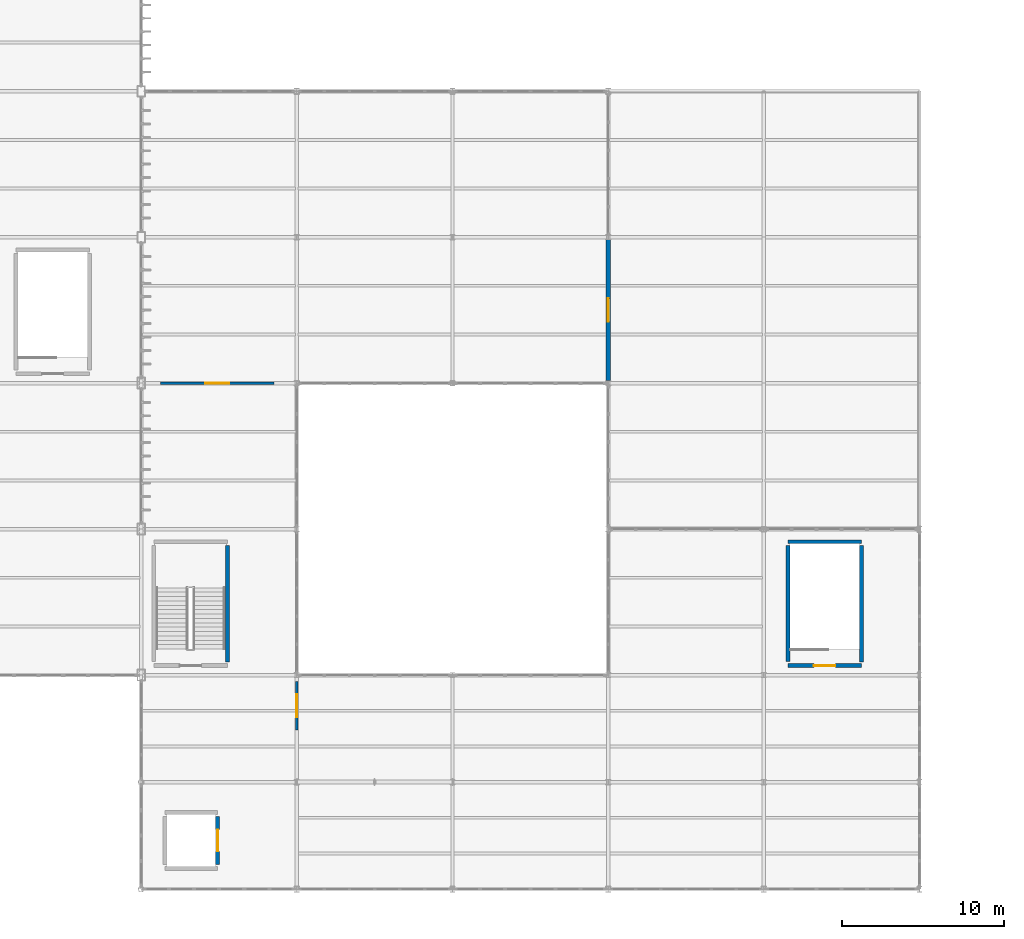
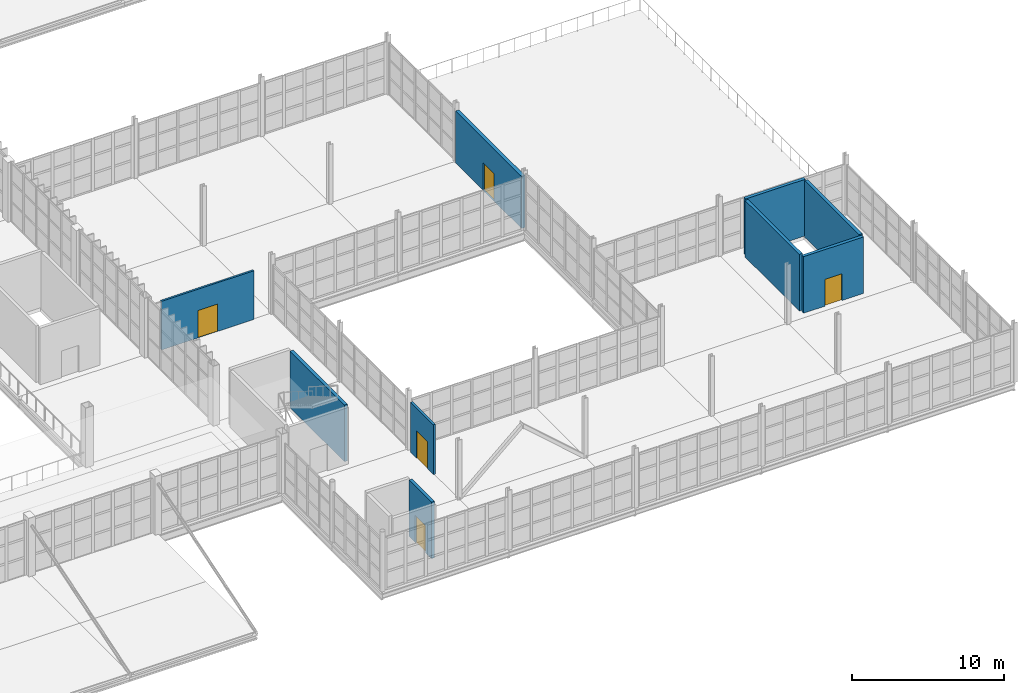
# One storey, part 111 of 120: 9 walls, 5 doors, 5 openings.
"""IFC4 building model written with IfcOpenShell, lengths in metres."""

import ifcopenshell
import ifcopenshell.guid

model = None  # the IFC model being written
_history = None  # IfcOwnerHistory: only IFC2X3 demands one
_inside = {}  # id of a spatial element -> (the spatial element, [elements in it])
_under = {}  # id of a project, library or spatial element -> (it, [spatial elements below it])
_declared = {}  # id of a project -> (the project, [libraries it declares])
_typed = {}  # id of a type object -> (the type object, [elements of that type])
_made_of = {}  # id of a material, layer set ... -> (it, [elements and type objects made of it])


def new_model(schema):
    """Start an empty IFC model of exactly this schema.

    Asked for "IFC4X3", IfcOpenShell would pick the latest addendum, in which some entities
    have other attributes; the version numbers below select the first issue.
    IFC2X3 requires an IfcOwnerHistory on every rooted entity: one is made here for all.
    """
    global model, _history
    if schema == "IFC4X3":
        model = ifcopenshell.file(schema_version=(4, 3, 0, 0))
    else:
        model = ifcopenshell.file(schema=schema)
    _inside.clear()
    _under.clear()
    _declared.clear()
    _typed.clear()
    _made_of.clear()
    _history = None
    if model.schema == "IFC2X3":
        org = make("IfcOrganization", Name="unknown")
        user = make(
            "IfcPersonAndOrganization",
            ThePerson=make("IfcPerson", FamilyName="unknown"),
            TheOrganization=org,
        )
        app = make(
            "IfcApplication",
            ApplicationDeveloper=org,
            Version="unknown",
            ApplicationFullName="unknown",
            ApplicationIdentifier="unknown",
        )
        _history = make(
            "IfcOwnerHistory",
            OwningUser=user,
            OwningApplication=app,
            ChangeAction="ADDED",
            CreationDate=0,
        )
    return model


def make(cls, **values):
    """One entity of the class cls with the attributes given. An attribute that is None is left unset."""
    return model.create_entity(
        cls, **{name: value for name, value in values.items() if value is not None}
    )


def rooted(cls, **values):
    """An entity with a GlobalId (a new one), such as an element, a storey or a relation."""
    return make(cls, GlobalId=ifcopenshell.guid.new(), OwnerHistory=_history, **values)


def si_unit(unit_type, name, prefix=None):
    """IfcSIUnit, for example si_unit("LENGTHUNIT", "METRE", prefix="MILLI")."""
    return make("IfcSIUnit", UnitType=unit_type, Prefix=prefix, Name=name)


def assignment(units):
    """IfcUnitAssignment: the units of a project."""
    return None if units is None else make("IfcUnitAssignment", Units=units)


def point(xyz):
    """IfcCartesianPoint."""
    return None if xyz is None else make("IfcCartesianPoint", Coordinates=xyz)


def direction(xyz):
    """IfcDirection."""
    return None if xyz is None else make("IfcDirection", DirectionRatios=xyz)


def frame(location, z_axis=None, x_axis=None):
    """IfcAxis2Placement3D, a coordinate frame: its origin and axes. An axis left out is left unset."""
    return make(
        "IfcAxis2Placement3D",
        Location=point(location),
        Axis=direction(z_axis),
        RefDirection=direction(x_axis),
    )


def frame_2d(location, x_axis=None):
    """IfcAxis2Placement2D, a coordinate frame in the plane: its origin and x axis."""
    return make(
        "IfcAxis2Placement2D", Location=point(location), RefDirection=direction(x_axis)
    )


def origin():
    """The frame at (0, 0, 0) with its axes left unset."""
    return frame((0.0, 0.0, 0.0))


def place(relative_to, where):
    """IfcLocalPlacement: puts the frame where relative to a parent placement (None: the world)."""
    return make(
        "IfcLocalPlacement", PlacementRelTo=relative_to, RelativePlacement=where
    )


def context(
    kind, dimensions, precision=None, world=None, true_north=None, identifier=None
):
    """IfcGeometricRepresentationContext, for example the 3D "Model" context."""
    return make(
        "IfcGeometricRepresentationContext",
        ContextIdentifier=identifier,
        ContextType=kind,
        CoordinateSpaceDimension=dimensions,
        Precision=precision,
        WorldCoordinateSystem=world,
        TrueNorth=true_north,
    )


def subcontext(parent, identifier, kind, view, scale=None):
    """IfcGeometricRepresentationSubContext, for example "Body" below "Model"."""
    return make(
        "IfcGeometricRepresentationSubContext",
        ContextIdentifier=identifier,
        ContextType=kind,
        ParentContext=parent,
        TargetScale=scale,
        TargetView=view,
    )


def project(units=None, contexts=None):
    """IfcProject with its units and contexts."""
    return rooted(
        "IfcProject",
        Name="project",
        RepresentationContexts=contexts,
        UnitsInContext=assignment(units),
    )


def spatial(cls, under=None, at=None, **own):
    """A site, building, storey or space (cls), placed at a placement, below another one or the project."""
    s = rooted(cls, ObjectPlacement=at, **own)
    if under is not None:
        _under.setdefault(under.id(), (under, []))[1].append(s)
    return s


def profile(cls, at=None, kind="AREA", **sizes):
    """A parametric profile (cls). Its sizes go by their IFC names, for example OverallWidth=200.0."""
    return make(cls, ProfileType=kind, Position=at, **sizes)


def rectangle(**sizes):
    """IfcRectangleProfileDef."""
    return profile("IfcRectangleProfileDef", **sizes)


def extrude(swept, where, along, depth):
    """IfcExtrudedAreaSolid: the profile swept, set in the frame where, extruded along a direction by depth."""
    return make(
        "IfcExtrudedAreaSolid",
        SweptArea=swept,
        Position=where,
        ExtrudedDirection=direction(along),
        Depth=depth,
    )


def shape(context_of_items, identifier, shape_type, items):
    """IfcShapeRepresentation: the items that make up one representation, for example the "Body"."""
    return make(
        "IfcShapeRepresentation",
        ContextOfItems=context_of_items,
        RepresentationIdentifier=identifier,
        RepresentationType=shape_type,
        Items=items,
    )


def material(Name=None, Category=None):
    """IfcMaterial."""
    return make("IfcMaterial", Name=Name, Category=Category)


def layer(
    of_material, thickness, ventilated=None, Name=None, Category=None, Priority=None
):
    """IfcMaterialLayer: one layer of a wall or slab, of a material (None: an air gap)."""
    return make(
        "IfcMaterialLayer",
        Material=of_material,
        LayerThickness=thickness,
        IsVentilated=ventilated,
        Name=Name,
        Category=Category,
        Priority=Priority,
    )


def layer_set(layers, Name=None):
    """IfcMaterialLayerSet."""
    return make("IfcMaterialLayerSet", MaterialLayers=layers, LayerSetName=Name)


def made_of(thing, what):
    """Note that an element or type object is made of a material, layer set ...; save() writes the relation."""
    if what is not None:
        _made_of.setdefault(what.id(), (what, []))[1].append(thing)
    return thing


def type_object(cls, material=None, **own):
    """A type object (cls), such as IfcWallType, which elements share."""
    return made_of(rooted(cls, **own), material)


def element(
    cls,
    number,
    at=None,
    inside=None,
    cuts=None,
    type_object=None,
    material=None,
    context=None,
    identifier="Body",
    shape_type=None,
    held_by="IfcProductDefinitionShape",
    body=None,
    shapes=None,
    **own,
):
    """One element of the class cls, such as IfcWall. Its Tag is "e" and its number.

    at: its placement. inside: the storey or other place that contains it. cuts: it is an
    opening in that element (IfcRelVoidsElement). A single representation is given by context,
    identifier, shape_type and body (its items); several are given by shapes. held_by: the class
    of the entity that holds the representations. save() writes the other relations.
    """
    e = rooted(cls, Tag="e%d" % number, ObjectPlacement=at, **own)
    if body is not None:
        shapes = [shape(context, identifier, shape_type, body)]
    if shapes is not None:
        e.Representation = make(held_by, Representations=shapes)
    if inside is not None:
        _inside.setdefault(inside.id(), (inside, []))[1].append(e)
    if cuts is not None:
        rooted(
            "IfcRelVoidsElement", RelatingBuildingElement=cuts, RelatedOpeningElement=e
        )
    if type_object is not None:
        _typed.setdefault(type_object.id(), (type_object, []))[1].append(e)
    return made_of(e, material)


def fill(opening, filler):
    """IfcRelFillsElement: the door or window that sits in an opening."""
    return rooted(
        "IfcRelFillsElement",
        RelatingOpeningElement=opening,
        RelatedBuildingElement=filler,
    )


def aggregate(whole, parts):
    """IfcRelAggregates: a whole, such as a stair, and the parts it consists of."""
    return rooted("IfcRelAggregates", RelatingObject=whole, RelatedObjects=parts)


def save(model, path):
    """Write the relations noted so far, then the file.

    IfcRelAggregates (storeys below a building ...), IfcRelContainedInSpatialStructure (elements
    in a storey), IfcRelDefinesByType, IfcRelAssociatesMaterial and IfcRelDeclares: one each for
    every whole, place, type object, material and project.
    """
    for whole, parts in _under.values():
        aggregate(whole, parts)
    for where, things in _inside.values():
        rooted(
            "IfcRelContainedInSpatialStructure",
            RelatedElements=things,
            RelatingStructure=where,
        )
    for kind, things in _typed.values():
        rooted("IfcRelDefinesByType", RelatedObjects=things, RelatingType=kind)
    for what, things in _made_of.values():
        rooted("IfcRelAssociatesMaterial", RelatedObjects=things, RelatingMaterial=what)
    for by, libraries in _declared.values():
        rooted("IfcRelDeclares", RelatingContext=by, RelatedDefinitions=libraries)
    model.write(path)


model = new_model("IFC4")

# Units and contexts
model_context = context("Model", 3, precision=1e-05, world=origin(), true_north=direction((0.0, 1.0)))
body_context = subcontext(model_context, "Body", "Model", "MODEL_VIEW")
ifc_project = project(units=[si_unit("LENGTHUNIT", "METRE"), si_unit("AREAUNIT", "SQUARE_METRE"), si_unit("VOLUMEUNIT", "CUBIC_METRE"), si_unit("PLANEANGLEUNIT", "RADIAN"), si_unit("MASSUNIT", "GRAM", prefix="KILO")], contexts=[model_context])

# Site, building, storey
site_placement = place(None, origin())
site = spatial("IfcSite", under=ifc_project, at=site_placement, CompositionType="ELEMENT")
building_placement = place(site_placement, origin())
building = spatial("IfcBuilding", under=site, at=building_placement, Name="Zarnetskaya Central Station", CompositionType="ELEMENT")
storey_placement = place(building_placement, frame((0.0, 0.0, 5.39990234375)))
storey = spatial("IfcBuildingStorey", under=building, at=storey_placement, Name="L01", CompositionType="ELEMENT", Elevation=5.39990234375)

# Wall, opening, door
ifc_material_1 = material(Name="Gypsum acoustic partition")
ifc_layer_1 = layer(ifc_material_1, 0.159912109375, Name="Gypsum acoustic partition")
ifc_layer_set_1 = layer_set([ifc_layer_1], Name="Gypsum acoustic partition")
wall_type_1 = type_object("IfcWallType", Name="PART-ACOU-160", PredefinedType="PARTITIONING", material=ifc_layer_set_1)
wall_1_placement = place(storey_placement, frame((134.39990234375, 9.800048828125, 0.0), z_axis=(0.0, 0.0, 1.0), x_axis=(0.0, 1.0, 0.0)))
wall_1 = element("IfcWall", 1, at=wall_1_placement, inside=storey, type_object=wall_type_1, Name="Interior partition IPRT-L01-0410", PredefinedType="PARTITIONING", context=body_context, shape_type="SweptSolid", body=[
    extrude(rectangle(XDim=3.0, YDim=0.159912109375, at=frame_2d((1.5, 0.0))), origin(), (0.0, 0.0, 1.0), 4.010009765625),
])
opening_1_placement = place(wall_1_placement, frame((0.7900390625, 0.0, 0.0)))
opening_1 = element("IfcOpeningElement", 2, at=opening_1_placement, cuts=wall_1, Name="Opening DR-12", PredefinedType="OPENING", context=body_context, shape_type="SweptSolid", body=[
    extrude(rectangle(XDim=1.419921875, YDim=2.179931640625, at=frame_2d((0.7099609375, 1.08984375))), frame((0.0, 0.08984375, 0.0), z_axis=(0.0, -1.0, 0.0), x_axis=(1.0, 0.0, 0.0)), (0.0, 0.0, 1.0), 0.179931640625),
])
ifc_material_2 = material(Name="Anodised aluminium", Category="aluminium")
door_type_1 = type_object("IfcDoorType", Name="DR-INT-13", OperationType="NOTDEFINED", PredefinedType="DOOR", material=ifc_material_2)
door_1_placement = place(opening_1_placement, origin())
door_1 = element("IfcDoor", 3, at=door_1_placement, inside=storey, type_object=door_type_1, Name="Upper Dining Salon South door", OperationType="SINGLE_SWING_RIGHT", OverallHeight=2.179931640625, OverallWidth=1.419921875, PredefinedType="DOOR", context=body_context, shape_type="SweptSolid", body=[
    extrude(rectangle(XDim=1.419921875, YDim=2.179931640625, at=frame_2d((0.7099609375, 1.08984375))), frame((0.0, 0.02490234375, 0.0), z_axis=(0.0, -1.0, 0.0), x_axis=(1.0, 0.0, 0.0)), (0.0, 0.0, 1.0), 0.050048828125),
])
fill(opening_1, door_1)

ifc_layer_2 = layer(ifc_material_1, 0.14501953125, Name="Gypsum acoustic partition")
ifc_layer_set_2 = layer_set([ifc_layer_2], Name="Gypsum acoustic partition")
wall_type_2 = type_object("IfcWallType", Name="PART-HALL-145", PredefinedType="PARTITIONING", material=ifc_layer_set_2)
wall_2_placement = place(storey_placement, frame((133.0, 31.199951171875, 0.0), z_axis=(0.0, 0.0, 1.0), x_axis=(-1.0, 0.0, 0.0)))
wall_2 = element("IfcWall", 4, at=wall_2_placement, inside=storey, type_object=wall_type_2, Name="Interior partition IPRT-L01-0411", PredefinedType="PARTITIONING", context=body_context, shape_type="SweptSolid", body=[
    extrude(rectangle(XDim=7.0, YDim=0.14501953125, at=frame_2d((3.5, 0.0))), origin(), (0.0, 0.0, 1.0), 3.91015625),
])
opening_2_placement = place(wall_2_placement, frame((2.75, 0.0, 0.0)))
opening_2 = element("IfcOpeningElement", 5, at=opening_2_placement, cuts=wall_2, Name="Opening DR-15", PredefinedType="OPENING", context=body_context, shape_type="SweptSolid", body=[
    extrude(rectangle(XDim=1.5, YDim=2.199951171875, at=frame_2d((0.75, 1.10009765625))), frame((0.0, 0.08251953125, 0.0), z_axis=(0.0, -1.0, 0.0), x_axis=(1.0, 0.0, 0.0)), (0.0, 0.0, 1.0), 0.1650390625),
])
door_type_2 = type_object("IfcDoorType", Name="DR-INT-14", OperationType="NOTDEFINED", PredefinedType="DOOR", material=ifc_material_2)
door_2_placement = place(opening_2_placement, origin())
door_2 = element("IfcDoor", 6, at=door_2_placement, inside=storey, type_object=door_type_2, Name="Upper Dining Salon Courtyard View door", OperationType="SINGLE_SWING_LEFT", OverallHeight=2.199951171875, OverallWidth=1.5, PredefinedType="DOOR", context=body_context, shape_type="SweptSolid", body=[
    extrude(rectangle(XDim=1.5, YDim=2.199951171875, at=frame_2d((0.75, 1.10009765625))), frame((0.0, 0.02490234375, 0.0), z_axis=(0.0, -1.0, 0.0), x_axis=(1.0, 0.0, 0.0)), (0.0, 0.0, 1.0), 0.050048828125),
])
fill(opening_2, door_2)

ifc_material_3 = material(Name="Precast concrete C40/50", Category="concrete")
ifc_layer_3 = layer(ifc_material_3, 0.260009765625, Name="Precast concrete C40/50", Category="concrete")
ifc_layer_set_3 = layer_set([ifc_layer_3], Name="Precast concrete C40/50")
wall_type_3 = type_object("IfcWallType", Name="WALL-PAV-260", PredefinedType="SOLIDWALL", material=ifc_layer_set_3)
wall_3_placement = place(storey_placement, frame((153.60009765625, 40.050048828125, 0.0), z_axis=(0.0, 0.0, 1.0), x_axis=(0.0, -1.0, 0.0)))
wall_3 = element("IfcWall", 7, at=wall_3_placement, inside=storey, type_object=wall_type_3, Name="Exterior precast wall EW-L01-1536-400-1536-314", PredefinedType="SOLIDWALL", context=body_context, shape_type="SweptSolid", body=[
    extrude(rectangle(XDim=8.699951171875, YDim=0.260009765625, at=frame_2d((4.35009765625, 0.0))), origin(), (0.0, 0.0, 1.0), 4.170166015625),
])
opening_3_placement = place(wall_3_placement, frame((3.625, 0.0, 0.0)))
opening_3 = element("IfcOpeningElement", 8, at=opening_3_placement, cuts=wall_3, Name="Opening ED-12", PredefinedType="OPENING", context=body_context, shape_type="SweptSolid", body=[
    extrude(rectangle(XDim=1.449951171875, YDim=2.199951171875, at=frame_2d((0.72509765625, 1.10009765625))), frame((0.0, 0.14013671875, 0.0), z_axis=(0.0, -1.0, 0.0), x_axis=(1.0, 0.0, 0.0)), (0.0, 0.0, 1.0), 0.280029296875),
])
door_type_3 = type_object("IfcDoorType", Name="DR-TER-145x220", OperationType="NOTDEFINED", PredefinedType="DOOR", material=ifc_material_2)
door_3_placement = place(opening_3_placement, origin())
door_3 = element("IfcDoor", 9, at=door_3_placement, inside=storey, type_object=door_type_3, Name="Outdoor terrace access door L01", OperationType="SINGLE_SWING_LEFT", OverallHeight=2.199951171875, OverallWidth=1.449951171875, PredefinedType="DOOR", context=body_context, shape_type="SweptSolid", body=[
    extrude(rectangle(XDim=1.449951171875, YDim=2.199951171875, at=frame_2d((0.72509765625, 1.10009765625))), frame((0.0, 0.02490234375, 0.0), z_axis=(0.0, -1.0, 0.0), x_axis=(1.0, 0.0, 0.0)), (0.0, 0.0, 1.0), 0.050048828125),
])
fill(opening_3, door_3)

ifc_material_4 = material(Name="Concrete C35/45", Category="concrete")
ifc_layer_4 = layer(ifc_material_4, 0.239990234375, Name="Concrete C35/45", Category="concrete")
ifc_layer_set_4 = layer_set([ifc_layer_4], Name="Concrete C35/45")
wall_type_4 = type_object("IfcWallType", Name="WALL-SHFT-240", PredefinedType="SHEAR", material=ifc_layer_set_4)
wall_4_placement = place(storey_placement, frame((129.52001953125, 4.47998046875, 0.0), z_axis=(0.0, 0.0, 1.0), x_axis=(0.0, -1.0, 0.0)))
wall_4 = element("IfcWall", 10, at=wall_4_placement, inside=storey, type_object=wall_type_4, Name="Core shear wall WSHF-L01-0184", PredefinedType="SHEAR", context=body_context, shape_type="SweptSolid", body=[
    extrude(rectangle(XDim=2.9599609375, YDim=0.239990234375, at=frame_2d((1.47998046875, 0.0))), origin(), (0.0, 0.0, 1.0), 4.5400390625),
])
opening_4_placement = place(wall_4_placement, frame((0.81005859375, 0.0, 0.0)))
opening_4 = element("IfcOpeningElement", 11, at=opening_4_placement, cuts=wall_4, Name="Opening DR-23", PredefinedType="OPENING", context=body_context, shape_type="SweptSolid", body=[
    extrude(rectangle(XDim=1.340087890625, YDim=2.179931640625, at=frame_2d((0.669921875, 1.08984375))), frame((0.0, 0.1298828125, 0.0), z_axis=(0.0, -1.0, 0.0), x_axis=(1.0, 0.0, 0.0)), (0.0, 0.0, 1.0), 0.260009765625),
])
door_type_4 = type_object("IfcDoorType", Name="DR-LIFT-PLAT", OperationType="NOTDEFINED", PredefinedType="DOOR", material=ifc_material_2)
door_4_placement = place(opening_4_placement, origin())
door_4 = element("IfcDoor", 12, at=door_4_placement, inside=storey, type_object=door_type_4, Name="Lift landing sliding door LP-07 L01", OperationType="DOUBLE_DOOR_SLIDING", OverallHeight=2.179931640625, OverallWidth=1.340087890625, PredefinedType="DOOR", context=body_context, shape_type="SweptSolid", body=[
    extrude(rectangle(XDim=1.340087890625, YDim=2.179931640625, at=frame_2d((0.669921875, 1.08984375))), frame((0.0, 0.02490234375, 0.0), z_axis=(0.0, -1.0, 0.0), x_axis=(1.0, 0.0, 0.0)), (0.0, 0.0, 1.0), 0.050048828125),
])
fill(opening_4, door_4)

# Wall
wall_5_placement = place(storey_placement, frame((130.1201171875, 21.179931640625, 0.0), z_axis=(0.0, 0.0, 1.0), x_axis=(0.0, -1.0, 0.0)))
element("IfcWall", 13, at=wall_5_placement, inside=storey, type_object=wall_type_4, Name="Core shear wall WSTR-L01-0296", PredefinedType="SHEAR", context=body_context, shape_type="SweptSolid", body=[
    extrude(rectangle(XDim=7.159912109375, YDim=0.239990234375, at=frame_2d((3.580078125, 0.0))), origin(), (0.0, 0.0, 1.0), 4.5400390625),
])

# Wall, opening, door
wall_6_placement = place(storey_placement, frame((169.219970703125, 13.780029296875, 0.0), z_axis=(0.0, 0.0, 1.0), x_axis=(-1.0, 0.0, 0.0)))
wall_6 = element("IfcWall", 14, at=wall_6_placement, inside=storey, type_object=wall_type_4, Name="Core shear wall WSTR-L01-0349", PredefinedType="SHEAR", context=body_context, shape_type="SweptSolid", body=[
    extrude(rectangle(XDim=4.5400390625, YDim=0.239990234375, at=frame_2d((2.27001953125, 0.0))), origin(), (0.0, 0.0, 1.0), 4.5400390625),
])
opening_5_placement = place(wall_6_placement, frame((1.610107421875, 0.0, 0.0)))
opening_5 = element("IfcOpeningElement", 15, at=opening_5_placement, cuts=wall_6, Name="Opening DR-FD60", PredefinedType="OPENING", context=body_context, shape_type="SweptSolid", body=[
    extrude(rectangle(XDim=1.320068359375, YDim=2.14990234375, at=frame_2d((0.66015625, 1.074951171875))), frame((0.0, 0.1298828125, 0.0), z_axis=(0.0, -1.0, 0.0), x_axis=(1.0, 0.0, 0.0)), (0.0, 0.0, 1.0), 0.260009765625),
])
door_type_5 = type_object("IfcDoorType", Name="DR-FIRE-STAIR", OperationType="NOTDEFINED", PredefinedType="DOOR", material=ifc_material_2)
door_5_placement = place(opening_5_placement, origin())
door_5 = element("IfcDoor", 16, at=door_5_placement, inside=storey, type_object=door_type_5, Name="Protected exit stair door ST-V2 L01", OperationType="SINGLE_SWING_LEFT", OverallHeight=2.14990234375, OverallWidth=1.320068359375, PredefinedType="DOOR", context=body_context, shape_type="SweptSolid", body=[
    extrude(rectangle(XDim=1.320068359375, YDim=2.14990234375, at=frame_2d((0.66015625, 1.074951171875))), frame((0.0, 0.02490234375, 0.0), z_axis=(0.0, -1.0, 0.0), x_axis=(1.0, 0.0, 0.0)), (0.0, 0.0, 1.0), 0.050048828125),
])
fill(opening_5, door_5)

# Walls
wall_7_placement = place(storey_placement, frame((164.679931640625, 21.419921875, 0.0), z_axis=(0.0, 0.0, 1.0), x_axis=(1.0, 0.0, 0.0)))
element("IfcWall", 17, at=wall_7_placement, inside=storey, type_object=wall_type_4, Name="Core shear wall WSTR-L01-0350", PredefinedType="SHEAR", context=body_context, shape_type="SweptSolid", body=[
    extrude(rectangle(XDim=4.5400390625, YDim=0.239990234375, at=frame_2d((2.27001953125, 0.0))), origin(), (0.0, 0.0, 1.0), 4.5400390625),
])
for number, where, z_axis, x_axis, name in (
    (18, (164.679931640625, 14.02001953125, 0.0), (0.0, 0.0, 1.0), (0.0, 1.0, 0.0), "Core shear wall WSTR-L01-0351"),
    (19, (169.219970703125, 21.179931640625, 0.0), (0.0, 0.0, 1.0), (0.0, -1.0, 0.0), "Core shear wall WSTR-L01-0352"),
):
    element("IfcWall", number, at=place(storey_placement, frame(where, z_axis=z_axis, x_axis=x_axis)), inside=storey, type_object=wall_type_4, Name=name, PredefinedType="SHEAR", context=body_context, shape_type="SweptSolid", body=[
        extrude(rectangle(XDim=7.159912109375, YDim=0.239990234375, at=frame_2d((3.580078125, 0.0))), origin(), (0.0, 0.0, 1.0), 4.5400390625),
    ])

save(model, "model.ifc")
